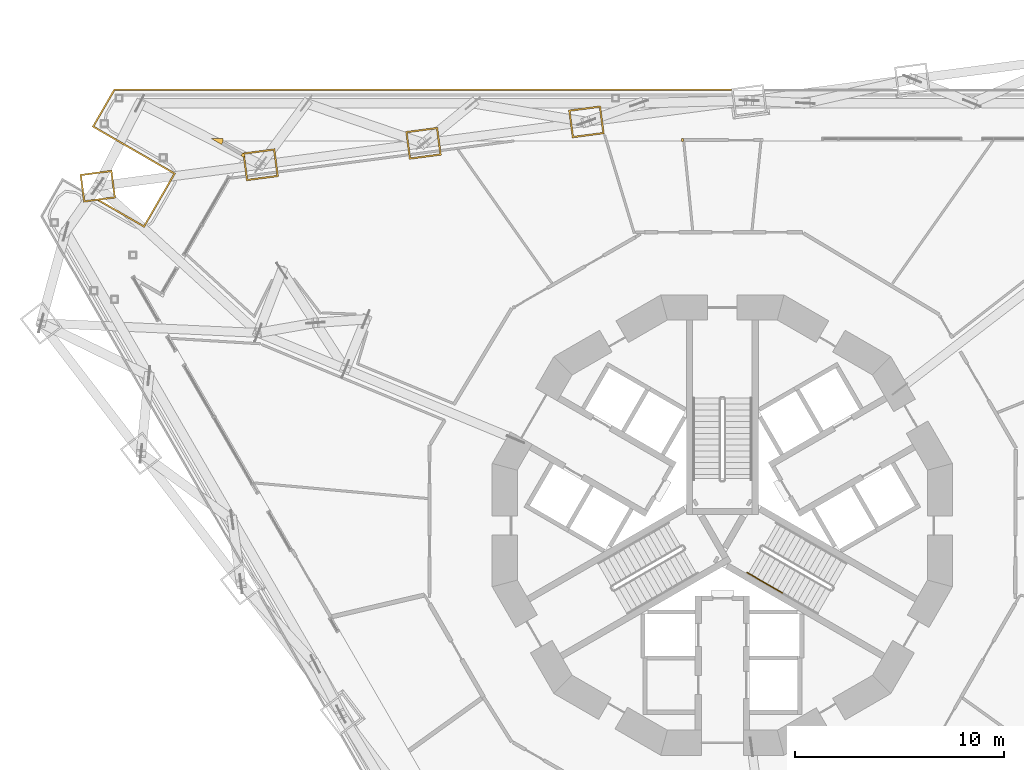
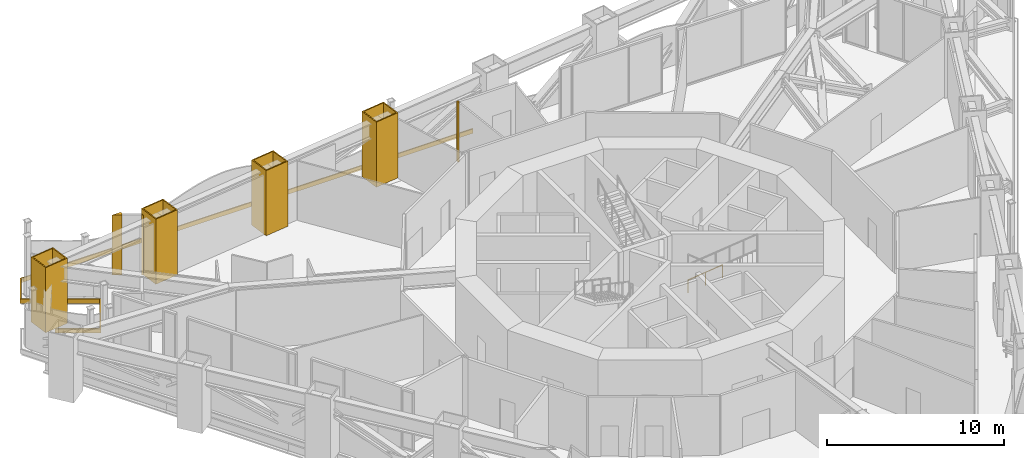
# One storey, part 25 of 28: 8 coverings, 1 railing.
"""IFC4 building model written with IfcOpenShell, lengths in metres."""

from ifc_helpers import new_model, si_unit, direction, frame, origin, origin_2d, place, context, subcontext, project, spatial, polyline, circle, outline, extrude, material, layer, layer_set, type_object, element, save


model = new_model("IFC4")

# Units and contexts
model_context = context("Model", 3, precision=1e-05, world=origin(), true_north=direction((0.0, 1.0)))
body_context = subcontext(model_context, "Body", "Model", "MODEL_VIEW")
ifc_project = project(units=[si_unit("LENGTHUNIT", "METRE"), si_unit("AREAUNIT", "SQUARE_METRE"), si_unit("VOLUMEUNIT", "CUBIC_METRE"), si_unit("PLANEANGLEUNIT", "RADIAN"), si_unit("MASSUNIT", "GRAM", prefix="KILO")], contexts=[model_context])

# Site, building, storey
site_placement = place(None, origin())
site = spatial("IfcSite", under=ifc_project, at=site_placement, CompositionType="ELEMENT")
building_placement = place(site_placement, origin())
building = spatial("IfcBuilding", under=site, at=building_placement, Name="Trine Commons Tower", CompositionType="ELEMENT")
storey_placement = place(building_placement, frame((0.0, 0.0, 45.89990234375)))
storey = spatial("IfcBuildingStorey", under=building, at=storey_placement, Name="L10", CompositionType="ELEMENT", Elevation=45.89990234375)

# Coverings
ifc_material_1 = material(Name="Aluminium-framed insulated wall panel", Category="aluminium")
ifc_layer_1 = layer(ifc_material_1, 0.14990234375)
ifc_layer_set_1 = layer_set([ifc_layer_1], Name="Aluminium-framed insulated wall panel")
covering_type_1 = type_object("IfcCoveringType", Name="Glazing corner post, aluminium", PredefinedType="CLADDING", material=ifc_layer_set_1)
covering_1_placement = place(storey_placement, origin())
element("IfcCovering", 1, at=covering_1_placement, inside=storey, type_object=covering_type_1, Name="Entrance wall jamb post F1 7A", PredefinedType="CLADDING", context=body_context, shape_type="SweptSolid", body=[
    extrude(outline(polyline([(78.05029296875, 80.99462890625), (78.150390625, 80.99462890625), (78.150390625, 80.844482421875), (78.05029296875, 80.844482421875), (78.05029296875, 80.99462890625)])), origin(), (0.0, 0.0, 1.0), 4.150146484375),
])
covering_2_placement = place(storey_placement, origin())
element("IfcCovering", 2, at=covering_2_placement, inside=storey, type_object=covering_type_1, Name="Glazing corner post 1-03", PredefinedType="CLADDING", context=body_context, shape_type="SweptSolid", body=[
    extrude(outline(polyline([(57.101318359375, 80.0966796875), (57.176513671875, 80.226806640625), (57.04638671875, 80.3017578125), (56.971435546875, 80.171875), (57.101318359375, 80.0966796875)])), origin(), (0.0, 0.0, 1.0), 4.150146484375),
])
covering_3_placement = place(storey_placement, origin())
element("IfcCovering", 3, at=covering_3_placement, inside=storey, type_object=covering_type_1, Name="Glazing corner post 1-04", PredefinedType="CLADDING", context=body_context, shape_type="SweptSolid", body=[
    extrude(outline(polyline([(56.03125, 80.714599609375), (56.106201171875, 80.844482421875), (56.106201171875, 80.99462890625), (55.54638671875, 80.99462890625), (56.03125, 80.714599609375)])), origin(), (0.0, 0.0, 1.0), 4.150146484375),
])
ifc_material_2 = material(Name="Limestone, honed", Category="masonry")
ifc_layer_2 = layer(ifc_material_2, 0.074951171875)
ifc_layer_set_2 = layer_set([ifc_layer_2], Name="Limestone, honed")
covering_type_2 = type_object("IfcCoveringType", Name="Limestone column cladding 75", PredefinedType="CLADDING", material=ifc_layer_set_2)
covering_4_placement = place(storey_placement, origin())
element("IfcCovering", 4, at=covering_4_placement, inside=storey, type_object=covering_type_2, Name="Limestone pier cladding 2-09", PredefinedType="CLADDING", context=body_context, shape_type="SweptSolid", body=[
    extrude(outline(polyline([(50.97265625, 78.146728515625), (50.79638671875, 79.485107421875), (49.259521484375, 79.282958984375), (49.435791015625, 77.9443359375), (50.97265625, 78.146728515625)]), holes=[polyline([(50.888427734375, 78.211181640625), (50.731689453125, 79.40087890625), (49.34375, 79.21826171875), (49.50048828125, 78.028564453125), (50.888427734375, 78.211181640625)])]), origin(), (0.0, 0.0, 1.0), 4.5),
])
covering_5_placement = place(storey_placement, origin())
element("IfcCovering", 5, at=covering_5_placement, inside=storey, type_object=covering_type_2, Name="Limestone pier cladding 2-10", PredefinedType="CLADDING", context=body_context, shape_type="SweptSolid", body=[
    extrude(outline(polyline([(58.765869140625, 79.1728515625), (58.589599609375, 80.51123046875), (57.052734375, 80.30908203125), (57.22900390625, 78.970458984375), (58.765869140625, 79.1728515625)]), holes=[polyline([(58.681640625, 79.2373046875), (58.52490234375, 80.427001953125), (57.136962890625, 80.244384765625), (57.293701171875, 79.0546875), (58.681640625, 79.2373046875)])]), origin(), (0.0, 0.0, 1.0), 4.5),
])
covering_6_placement = place(storey_placement, origin())
element("IfcCovering", 6, at=covering_6_placement, inside=storey, type_object=covering_type_2, Name="Limestone pier cladding 2-11", PredefinedType="CLADDING", context=body_context, shape_type="SweptSolid", body=[
    extrude(outline(polyline([(66.55908203125, 80.19873046875), (66.3828125, 81.537353515625), (64.84619140625, 81.3349609375), (65.022216796875, 79.99658203125), (66.55908203125, 80.19873046875)]), holes=[polyline([(66.474853515625, 80.263427734375), (66.318359375, 81.453125), (64.930419921875, 81.2705078125), (65.0869140625, 80.080810546875), (66.474853515625, 80.263427734375)])]), origin(), (0.0, 0.0, 1.0), 4.5),
])
covering_7_placement = place(storey_placement, origin())
element("IfcCovering", 7, at=covering_7_placement, inside=storey, type_object=covering_type_2, Name="Limestone pier cladding 2-12", PredefinedType="CLADDING", context=body_context, shape_type="SweptSolid", body=[
    extrude(outline(polyline([(74.352294921875, 81.224853515625), (74.17626953125, 82.563232421875), (72.639404296875, 82.361083984375), (72.815673828125, 81.0224609375), (74.352294921875, 81.224853515625)]), holes=[polyline([(74.268310546875, 81.289306640625), (74.111572265625, 82.47900390625), (72.7236328125, 82.29638671875), (72.880126953125, 81.106689453125), (74.268310546875, 81.289306640625)])]), origin(), (0.0, 0.0, 1.0), 4.5),
])
ifc_layer_3 = layer(ifc_material_2, 0.074951171875)
ifc_layer_set_3 = layer_set([ifc_layer_3], Name="Limestone, honed")
covering_type_3 = type_object("IfcCoveringType", Name="Limestone spandrel panel 75", PredefinedType="CLADDING", material=ifc_layer_set_3)
covering_8_placement = place(storey_placement, frame((0.0, 0.0, -0.2998046875)))
element("IfcCovering", 8, at=covering_8_placement, inside=storey, type_object=covering_type_3, Name="Limestone spandrel panel 1-08", PredefinedType="CLADDING", context=body_context, shape_type="SweptSolid", body=[
    extrude(outline(polyline([(52.31591796875, 76.837890625), (50.220458984375, 78.047607421875), (50.098388671875, 78.031494140625), (52.34326171875, 76.735595703125), (53.84326171875, 79.33349609375), (49.9462890625, 81.58349609375), (50.92822265625, 83.28466796875), (80.446044921875, 83.28466796875), (80.436279296875, 83.359619140625), (50.885009765625, 83.359619140625), (49.84375, 81.55615234375), (53.74072265625, 79.30615234375), (52.31591796875, 76.837890625)])), origin(), (0.0, 0.0, 1.0), 0.2998046875),
])

# Railing
ifc_material_3 = material(Name="Stainless steel handrail", Category="steel")
railing_type = type_object("IfcRailingType", Name="Stair handrail, steel 900", PredefinedType="HANDRAIL", material=ifc_material_3)
railing_placement = place(storey_placement, frame((81.175048828125, 60.23388671875, 2.400146484375)))
element("IfcRailing", 9, at=railing_placement, inside=storey, type_object=railing_type, Name="L10 ST3A stair handrail 3", PredefinedType="HANDRAIL", context=body_context, shape_type="SweptSolid", body=[
    extrude(circle(Radius=0.02099609375, at=origin_2d()), frame((0.0, 0.0, 0.87890625), z_axis=(0.763352030933, -0.440750151347, 0.472263677365), x_axis=(0.500024377727, 0.866011328839, 0.0)), (0.0, 0.0, 1.0), 2.223388671875),
    extrude(circle(Radius=0.01513671875, at=origin_2d()), origin(), (0.0, 0.0, 1.0), 0.85791015625),
    extrude(circle(Radius=0.01513671875, at=origin_2d()), frame((0.8486328125, -0.489990234375, 0.52490234375)), (0.0, 0.0, 1.0), 0.85791015625),
    extrude(circle(Radius=0.01513671875, at=origin_2d()), frame((1.697265625, -0.97998046875, 1.050048828125)), (0.0, 0.0, 1.0), 0.85791015625),
])

save(model, "model.ifc")
